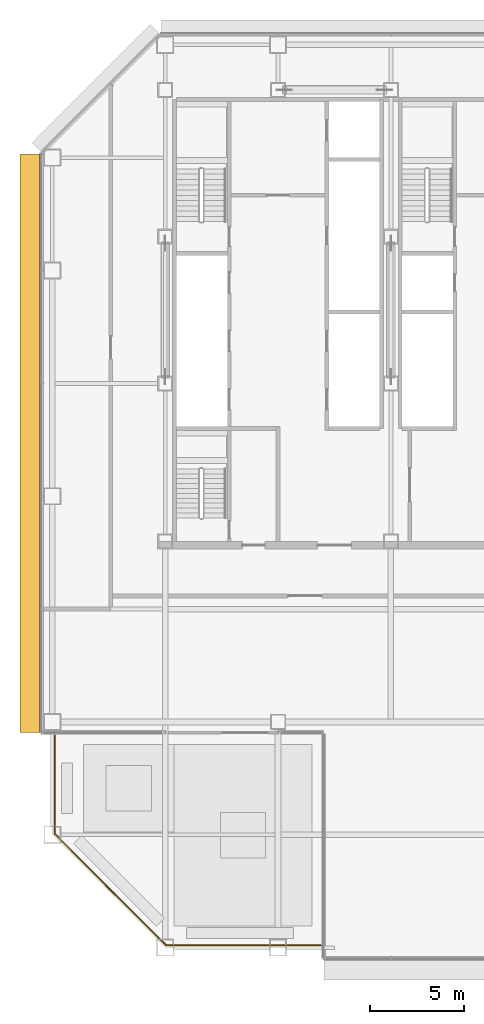
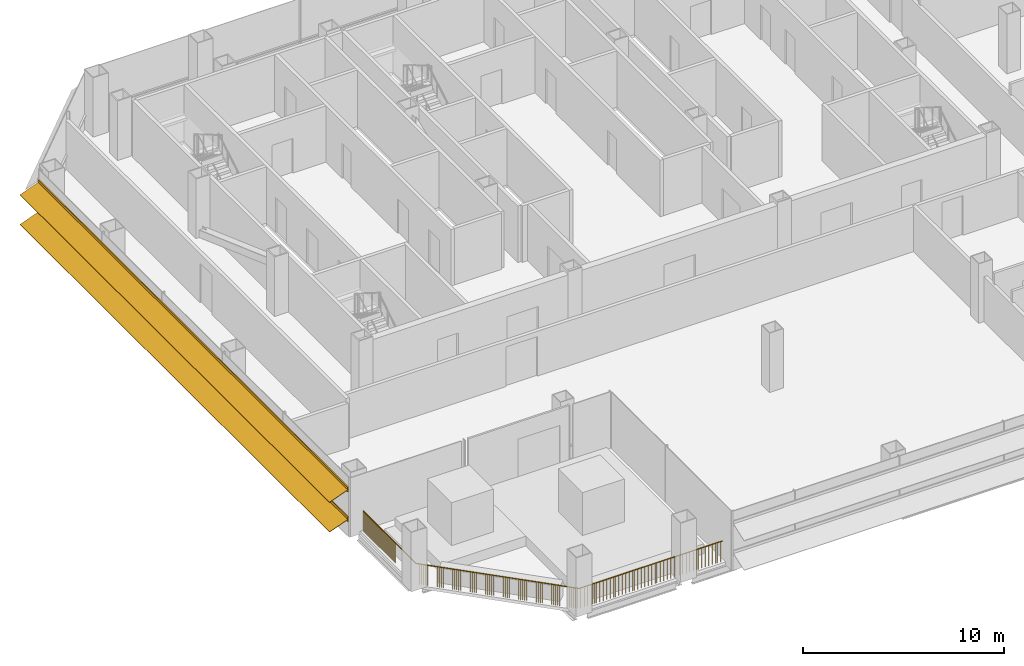
# One storey, part 25 of 28: 1 railing, 1 shading device.
"""IFC4 building model written with IfcOpenShell, lengths in metres."""

import ifcopenshell
import ifcopenshell.guid

model = None  # the IFC model being written
_history = None  # IfcOwnerHistory: only IFC2X3 demands one
_inside = {}  # id of a spatial element -> (the spatial element, [elements in it])
_under = {}  # id of a project, library or spatial element -> (it, [spatial elements below it])
_declared = {}  # id of a project -> (the project, [libraries it declares])
_typed = {}  # id of a type object -> (the type object, [elements of that type])
_made_of = {}  # id of a material, layer set ... -> (it, [elements and type objects made of it])


def new_model(schema):
    """Start an empty IFC model of exactly this schema.

    Asked for "IFC4X3", IfcOpenShell would pick the latest addendum, in which some entities
    have other attributes; the version numbers below select the first issue.
    IFC2X3 requires an IfcOwnerHistory on every rooted entity: one is made here for all.
    """
    global model, _history
    if schema == "IFC4X3":
        model = ifcopenshell.file(schema_version=(4, 3, 0, 0))
    else:
        model = ifcopenshell.file(schema=schema)
    _inside.clear()
    _under.clear()
    _declared.clear()
    _typed.clear()
    _made_of.clear()
    _history = None
    if model.schema == "IFC2X3":
        org = make("IfcOrganization", Name="unknown")
        user = make(
            "IfcPersonAndOrganization",
            ThePerson=make("IfcPerson", FamilyName="unknown"),
            TheOrganization=org,
        )
        app = make(
            "IfcApplication",
            ApplicationDeveloper=org,
            Version="unknown",
            ApplicationFullName="unknown",
            ApplicationIdentifier="unknown",
        )
        _history = make(
            "IfcOwnerHistory",
            OwningUser=user,
            OwningApplication=app,
            ChangeAction="ADDED",
            CreationDate=0,
        )
    return model


def make(cls, **values):
    """One entity of the class cls with the attributes given. An attribute that is None is left unset."""
    return model.create_entity(
        cls, **{name: value for name, value in values.items() if value is not None}
    )


def rooted(cls, **values):
    """An entity with a GlobalId (a new one), such as an element, a storey or a relation."""
    return make(cls, GlobalId=ifcopenshell.guid.new(), OwnerHistory=_history, **values)


def si_unit(unit_type, name, prefix=None):
    """IfcSIUnit, for example si_unit("LENGTHUNIT", "METRE", prefix="MILLI")."""
    return make("IfcSIUnit", UnitType=unit_type, Prefix=prefix, Name=name)


def assignment(units):
    """IfcUnitAssignment: the units of a project."""
    return None if units is None else make("IfcUnitAssignment", Units=units)


def point(xyz):
    """IfcCartesianPoint."""
    return None if xyz is None else make("IfcCartesianPoint", Coordinates=xyz)


def direction(xyz):
    """IfcDirection."""
    return None if xyz is None else make("IfcDirection", DirectionRatios=xyz)


def frame(location, z_axis=None, x_axis=None):
    """IfcAxis2Placement3D, a coordinate frame: its origin and axes. An axis left out is left unset."""
    return make(
        "IfcAxis2Placement3D",
        Location=point(location),
        Axis=direction(z_axis),
        RefDirection=direction(x_axis),
    )


def frame_2d(location, x_axis=None):
    """IfcAxis2Placement2D, a coordinate frame in the plane: its origin and x axis."""
    return make(
        "IfcAxis2Placement2D", Location=point(location), RefDirection=direction(x_axis)
    )


def origin():
    """The frame at (0, 0, 0) with its axes left unset."""
    return frame((0.0, 0.0, 0.0))


def origin_2d():
    """The frame at (0, 0) in the plane with its x axis left unset."""
    return frame_2d((0.0, 0.0))


def place(relative_to, where):
    """IfcLocalPlacement: puts the frame where relative to a parent placement (None: the world)."""
    return make(
        "IfcLocalPlacement", PlacementRelTo=relative_to, RelativePlacement=where
    )


def context(
    kind, dimensions, precision=None, world=None, true_north=None, identifier=None
):
    """IfcGeometricRepresentationContext, for example the 3D "Model" context."""
    return make(
        "IfcGeometricRepresentationContext",
        ContextIdentifier=identifier,
        ContextType=kind,
        CoordinateSpaceDimension=dimensions,
        Precision=precision,
        WorldCoordinateSystem=world,
        TrueNorth=true_north,
    )


def subcontext(parent, identifier, kind, view, scale=None):
    """IfcGeometricRepresentationSubContext, for example "Body" below "Model"."""
    return make(
        "IfcGeometricRepresentationSubContext",
        ContextIdentifier=identifier,
        ContextType=kind,
        ParentContext=parent,
        TargetScale=scale,
        TargetView=view,
    )


def project(units=None, contexts=None):
    """IfcProject with its units and contexts."""
    return rooted(
        "IfcProject",
        Name="project",
        RepresentationContexts=contexts,
        UnitsInContext=assignment(units),
    )


def spatial(cls, under=None, at=None, **own):
    """A site, building, storey or space (cls), placed at a placement, below another one or the project."""
    s = rooted(cls, ObjectPlacement=at, **own)
    if under is not None:
        _under.setdefault(under.id(), (under, []))[1].append(s)
    return s


def polyline(points):
    """IfcPolyline through the points."""
    return make("IfcPolyline", Points=[point(p) for p in points])


def profile(cls, at=None, kind="AREA", **sizes):
    """A parametric profile (cls). Its sizes go by their IFC names, for example OverallWidth=200.0."""
    return make(cls, ProfileType=kind, Position=at, **sizes)


def circle(**sizes):
    """IfcCircleProfileDef."""
    return profile("IfcCircleProfileDef", **sizes)


def outline(outer, holes=None, kind="AREA"):
    """IfcArbitraryClosedProfileDef: a profile drawn as a closed curve; with holes, ...WithVoids."""
    if holes is None:
        return make("IfcArbitraryClosedProfileDef", ProfileType=kind, OuterCurve=outer)
    return make(
        "IfcArbitraryProfileDefWithVoids",
        ProfileType=kind,
        OuterCurve=outer,
        InnerCurves=holes,
    )


def composite_profile(profiles, kind="AREA"):
    """IfcCompositeProfileDef: several profiles as one."""
    return make("IfcCompositeProfileDef", ProfileType=kind, Profiles=profiles)


def extrude(swept, where, along, depth):
    """IfcExtrudedAreaSolid: the profile swept, set in the frame where, extruded along a direction by depth."""
    return make(
        "IfcExtrudedAreaSolid",
        SweptArea=swept,
        Position=where,
        ExtrudedDirection=direction(along),
        Depth=depth,
    )


def shape(context_of_items, identifier, shape_type, items):
    """IfcShapeRepresentation: the items that make up one representation, for example the "Body"."""
    return make(
        "IfcShapeRepresentation",
        ContextOfItems=context_of_items,
        RepresentationIdentifier=identifier,
        RepresentationType=shape_type,
        Items=items,
    )


def material(Name=None, Category=None):
    """IfcMaterial."""
    return make("IfcMaterial", Name=Name, Category=Category)


def made_of(thing, what):
    """Note that an element or type object is made of a material, layer set ...; save() writes the relation."""
    if what is not None:
        _made_of.setdefault(what.id(), (what, []))[1].append(thing)
    return thing


def type_object(cls, material=None, **own):
    """A type object (cls), such as IfcWallType, which elements share."""
    return made_of(rooted(cls, **own), material)


def element(
    cls,
    number,
    at=None,
    inside=None,
    cuts=None,
    type_object=None,
    material=None,
    context=None,
    identifier="Body",
    shape_type=None,
    held_by="IfcProductDefinitionShape",
    body=None,
    shapes=None,
    **own,
):
    """One element of the class cls, such as IfcWall. Its Tag is "e" and its number.

    at: its placement. inside: the storey or other place that contains it. cuts: it is an
    opening in that element (IfcRelVoidsElement). A single representation is given by context,
    identifier, shape_type and body (its items); several are given by shapes. held_by: the class
    of the entity that holds the representations. save() writes the other relations.
    """
    e = rooted(cls, Tag="e%d" % number, ObjectPlacement=at, **own)
    if body is not None:
        shapes = [shape(context, identifier, shape_type, body)]
    if shapes is not None:
        e.Representation = make(held_by, Representations=shapes)
    if inside is not None:
        _inside.setdefault(inside.id(), (inside, []))[1].append(e)
    if cuts is not None:
        rooted(
            "IfcRelVoidsElement", RelatingBuildingElement=cuts, RelatedOpeningElement=e
        )
    if type_object is not None:
        _typed.setdefault(type_object.id(), (type_object, []))[1].append(e)
    return made_of(e, material)


def aggregate(whole, parts):
    """IfcRelAggregates: a whole, such as a stair, and the parts it consists of."""
    return rooted("IfcRelAggregates", RelatingObject=whole, RelatedObjects=parts)


def save(model, path):
    """Write the relations noted so far, then the file.

    IfcRelAggregates (storeys below a building ...), IfcRelContainedInSpatialStructure (elements
    in a storey), IfcRelDefinesByType, IfcRelAssociatesMaterial and IfcRelDeclares: one each for
    every whole, place, type object, material and project.
    """
    for whole, parts in _under.values():
        aggregate(whole, parts)
    for where, things in _inside.values():
        rooted(
            "IfcRelContainedInSpatialStructure",
            RelatedElements=things,
            RelatingStructure=where,
        )
    for kind, things in _typed.values():
        rooted("IfcRelDefinesByType", RelatedObjects=things, RelatingType=kind)
    for what, things in _made_of.values():
        rooted("IfcRelAssociatesMaterial", RelatedObjects=things, RelatingMaterial=what)
    for by, libraries in _declared.values():
        rooted("IfcRelDeclares", RelatingContext=by, RelatedDefinitions=libraries)
    model.write(path)


model = new_model("IFC4")

# Units and contexts
model_context = context("Model", 3, precision=1e-05, world=origin(), true_north=direction((0.0, 1.0)))
body_context = subcontext(model_context, "Body", "Model", "MODEL_VIEW")
ifc_project = project(units=[si_unit("LENGTHUNIT", "METRE"), si_unit("AREAUNIT", "SQUARE_METRE"), si_unit("VOLUMEUNIT", "CUBIC_METRE"), si_unit("PLANEANGLEUNIT", "RADIAN"), si_unit("MASSUNIT", "GRAM", prefix="KILO")], contexts=[model_context])

# Site, building, storey
site_placement = place(None, origin())
site = spatial("IfcSite", under=ifc_project, at=site_placement, CompositionType="ELEMENT")
building_placement = place(site_placement, origin())
building = spatial("IfcBuilding", under=site, at=building_placement, Name="Sorahane Residences", CompositionType="ELEMENT")
storey_placement = place(building_placement, frame((0.0, 0.0, 60.60009765625)))
storey = spatial("IfcBuildingStorey", under=building, at=storey_placement, Name="L11", CompositionType="ELEMENT", Elevation=60.60009765625)

# Shading device
ifc_material_1 = material(Name="Terracotta anodised aluminium", Category="masonry")
shading_device_type = type_object("IfcShadingDeviceType", Name="Louvre sunshade blade W terracotta aluminium 1100", PredefinedType="JALOUSIE", material=ifc_material_1)
shading_device_placement = place(storey_placement, frame((-0.60009765625, 42.198486328125, 0.89990234375), z_axis=(0.0, -1.0, 0.0), x_axis=(1.0, 0.0, 0.0)))
element("IfcShadingDevice", 1, at=shading_device_placement, inside=storey, type_object=shading_device_type, Name="Louvre sunshade blade bank W L11 W1", PredefinedType="JALOUSIE", context=body_context, shape_type="SweptSolid", body=[
    extrude(composite_profile([outline(polyline([(-1.1201171875, -0.385498046875), (-1.1201171875, -0.415283203125), (-0.080078125, -0.036865234375), (-0.080078125, -0.14990234375), (-0.02001953125, -0.14990234375), (-0.02001953125, -0.014892578125), (-0.02001953125, 0.014892578125), (-0.02001953125, 0.14990234375), (-0.080078125, 0.14990234375), (-0.080078125, -0.0068359375), (-1.1201171875, -0.385498046875)])), outline(polyline([(-1.1201171875, 1.41455078125), (-1.1201171875, 1.384521484375), (-0.080078125, 1.76318359375), (-0.080078125, 1.64990234375), (-0.02001953125, 1.64990234375), (-0.02001953125, 1.784912109375), (-0.02001953125, 1.81494140625), (-0.02001953125, 1.949951171875), (-0.080078125, 1.949951171875), (-0.080078125, 1.793212890625), (-1.1201171875, 1.41455078125)]))]), origin(), (0.0, 0.0, 1.0), 30.74853515625),
])

# Railing
ifc_material_2 = material(Name="Clear low-iron glass with a black steel top rail", Category="steel")
railing_type = type_object("IfcRailingType", Name="Terrace guard black steel bars 1260", PredefinedType="GUARDRAIL", material=ifc_material_2)
railing_placement = place(storey_placement, frame((14.280029296875, 0.1201171875, 0.0)))
element("IfcRailing", 2, at=railing_placement, inside=storey, type_object=railing_type, Name="Terrace guard L11.1.1", PredefinedType="GUARDRAIL", context=body_context, shape_type="SweptSolid", body=[
    extrude(circle(Radius=0.030029296875, at=origin_2d()), frame((0.0, 0.0, 1.22998046875), z_axis=(-1.0, 0.0, 0.0), x_axis=(0.0, -1.0, 0.0)), (0.0, 0.0, 1.0), 8.230224609375),
    extrude(circle(Radius=0.030029296875, at=origin_2d()), frame((-8.230224609375, 0.0, 1.22998046875), z_axis=(-0.707106781187, 0.707106781187, 0.0), x_axis=(-0.707106781187, -0.707106781187, 0.0)), (0.0, 0.0, 1.0), 8.3857421875),
    extrude(circle(Radius=0.030029296875, at=origin_2d()), frame((-14.159912109375, 5.9296875, 1.22998046875), z_axis=(0.0, 1.0, 0.0), x_axis=(-1.0, 0.0, 0.0)), (0.0, 0.0, 1.0), 5.230224609375),
    extrude(circle(Radius=0.0068359375, at=origin_2d()), origin(), (0.0, 0.0, 1.0), 1.199951171875),
    extrude(circle(Radius=0.0068359375, at=origin_2d()), frame((-0.09912109375, 0.0, 0.0)), (0.0, 0.0, 1.0), 1.199951171875),
    extrude(circle(Radius=0.0068359375, at=origin_2d()), frame((-0.1982421875, 0.0, 0.0)), (0.0, 0.0, 1.0), 1.199951171875),
    extrude(circle(Radius=0.0068359375, at=origin_2d()), frame((-0.29736328125, 0.0, 0.0)), (0.0, 0.0, 1.0), 1.199951171875),
    extrude(circle(Radius=0.0068359375, at=origin_2d()), frame((-0.396728515625, 0.0, 0.0)), (0.0, 0.0, 1.0), 1.199951171875),
    extrude(circle(Radius=0.0068359375, at=origin_2d()), frame((-0.495849609375, 0.0, 0.0)), (0.0, 0.0, 1.0), 1.199951171875),
    extrude(circle(Radius=0.0068359375, at=origin_2d()), frame((-0.594970703125, 0.0, 0.0)), (0.0, 0.0, 1.0), 1.199951171875),
    extrude(circle(Radius=0.0068359375, at=origin_2d()), frame((-0.694091796875, 0.0, 0.0)), (0.0, 0.0, 1.0), 1.199951171875),
    extrude(circle(Radius=0.0068359375, at=origin_2d()), frame((-0.793212890625, 0.0, 0.0)), (0.0, 0.0, 1.0), 1.199951171875),
    extrude(circle(Radius=0.0068359375, at=origin_2d()), frame((-0.892333984375, 0.0, 0.0)), (0.0, 0.0, 1.0), 1.199951171875),
    extrude(circle(Radius=0.0068359375, at=origin_2d()), frame((-0.99169921875, 0.0, 0.0)), (0.0, 0.0, 1.0), 1.199951171875),
    extrude(circle(Radius=0.0068359375, at=origin_2d()), frame((-1.0908203125, 0.0, 0.0)), (0.0, 0.0, 1.0), 1.199951171875),
    extrude(circle(Radius=0.0068359375, at=origin_2d()), frame((-1.18994140625, 0.0, 0.0)), (0.0, 0.0, 1.0), 1.199951171875),
    extrude(circle(Radius=0.0068359375, at=origin_2d()), frame((-1.2890625, 0.0, 0.0)), (0.0, 0.0, 1.0), 1.199951171875),
    extrude(circle(Radius=0.0068359375, at=origin_2d()), frame((-1.38818359375, 0.0, 0.0)), (0.0, 0.0, 1.0), 1.199951171875),
    extrude(circle(Radius=0.0068359375, at=origin_2d()), frame((-1.4873046875, 0.0, 0.0)), (0.0, 0.0, 1.0), 1.199951171875),
    extrude(circle(Radius=0.0068359375, at=origin_2d()), frame((-1.586669921875, 0.0, 0.0)), (0.0, 0.0, 1.0), 1.199951171875),
    extrude(circle(Radius=0.0068359375, at=origin_2d()), frame((-1.685791015625, 0.0, 0.0)), (0.0, 0.0, 1.0), 1.199951171875),
    extrude(circle(Radius=0.0068359375, at=origin_2d()), frame((-1.784912109375, 0.0, 0.0)), (0.0, 0.0, 1.0), 1.199951171875),
    extrude(circle(Radius=0.0068359375, at=origin_2d()), frame((-1.884033203125, 0.0, 0.0)), (0.0, 0.0, 1.0), 1.199951171875),
    extrude(circle(Radius=0.0068359375, at=origin_2d()), frame((-1.983154296875, 0.0, 0.0)), (0.0, 0.0, 1.0), 1.199951171875),
    extrude(circle(Radius=0.0068359375, at=origin_2d()), frame((-2.082275390625, 0.0, 0.0)), (0.0, 0.0, 1.0), 1.199951171875),
    extrude(circle(Radius=0.0068359375, at=origin_2d()), frame((-2.181396484375, 0.0, 0.0)), (0.0, 0.0, 1.0), 1.199951171875),
    extrude(circle(Radius=0.0068359375, at=origin_2d()), frame((-2.28076171875, 0.0, 0.0)), (0.0, 0.0, 1.0), 1.199951171875),
    extrude(circle(Radius=0.0068359375, at=origin_2d()), frame((-2.3798828125, 0.0, 0.0)), (0.0, 0.0, 1.0), 1.199951171875),
    extrude(circle(Radius=0.0068359375, at=origin_2d()), frame((-2.47900390625, 0.0, 0.0)), (0.0, 0.0, 1.0), 1.199951171875),
    extrude(circle(Radius=0.0068359375, at=origin_2d()), frame((-2.578125, 0.0, 0.0)), (0.0, 0.0, 1.0), 1.199951171875),
    extrude(circle(Radius=0.0068359375, at=origin_2d()), frame((-2.67724609375, 0.0, 0.0)), (0.0, 0.0, 1.0), 1.199951171875),
    extrude(circle(Radius=0.0068359375, at=origin_2d()), frame((-2.7763671875, 0.0, 0.0)), (0.0, 0.0, 1.0), 1.199951171875),
    extrude(circle(Radius=0.0068359375, at=origin_2d()), frame((-2.875732421875, 0.0, 0.0)), (0.0, 0.0, 1.0), 1.199951171875),
    extrude(circle(Radius=0.0068359375, at=origin_2d()), frame((-2.974853515625, 0.0, 0.0)), (0.0, 0.0, 1.0), 1.199951171875),
    extrude(circle(Radius=0.0068359375, at=origin_2d()), frame((-3.073974609375, 0.0, 0.0)), (0.0, 0.0, 1.0), 1.199951171875),
    extrude(circle(Radius=0.0068359375, at=origin_2d()), frame((-3.173095703125, 0.0, 0.0)), (0.0, 0.0, 1.0), 1.199951171875),
    extrude(circle(Radius=0.0068359375, at=origin_2d()), frame((-3.272216796875, 0.0, 0.0)), (0.0, 0.0, 1.0), 1.199951171875),
    extrude(circle(Radius=0.0068359375, at=origin_2d()), frame((-3.371337890625, 0.0, 0.0)), (0.0, 0.0, 1.0), 1.199951171875),
    extrude(circle(Radius=0.0068359375, at=origin_2d()), frame((-3.470458984375, 0.0, 0.0)), (0.0, 0.0, 1.0), 1.199951171875),
    extrude(circle(Radius=0.0068359375, at=origin_2d()), frame((-3.56982421875, 0.0, 0.0)), (0.0, 0.0, 1.0), 1.199951171875),
    extrude(circle(Radius=0.0068359375, at=origin_2d()), frame((-3.6689453125, 0.0, 0.0)), (0.0, 0.0, 1.0), 1.199951171875),
    extrude(circle(Radius=0.0068359375, at=origin_2d()), frame((-3.76806640625, 0.0, 0.0)), (0.0, 0.0, 1.0), 1.199951171875),
    extrude(circle(Radius=0.0068359375, at=origin_2d()), frame((-3.8671875, 0.0, 0.0)), (0.0, 0.0, 1.0), 1.199951171875),
    extrude(circle(Radius=0.0068359375, at=origin_2d()), frame((-3.96630859375, 0.0, 0.0)), (0.0, 0.0, 1.0), 1.199951171875),
    extrude(circle(Radius=0.0068359375, at=origin_2d()), frame((-4.0654296875, 0.0, 0.0)), (0.0, 0.0, 1.0), 1.199951171875),
    extrude(circle(Radius=0.0068359375, at=origin_2d()), frame((-4.164794921875, 0.0, 0.0)), (0.0, 0.0, 1.0), 1.199951171875),
    extrude(circle(Radius=0.0068359375, at=origin_2d()), frame((-4.263916015625, 0.0, 0.0)), (0.0, 0.0, 1.0), 1.199951171875),
    extrude(circle(Radius=0.0068359375, at=origin_2d()), frame((-4.363037109375, 0.0, 0.0)), (0.0, 0.0, 1.0), 1.199951171875),
    extrude(circle(Radius=0.0068359375, at=origin_2d()), frame((-4.462158203125, 0.0, 0.0)), (0.0, 0.0, 1.0), 1.199951171875),
    extrude(circle(Radius=0.0068359375, at=origin_2d()), frame((-4.561279296875, 0.0, 0.0)), (0.0, 0.0, 1.0), 1.199951171875),
    extrude(circle(Radius=0.0068359375, at=origin_2d()), frame((-4.660400390625, 0.0, 0.0)), (0.0, 0.0, 1.0), 1.199951171875),
    extrude(circle(Radius=0.0068359375, at=origin_2d()), frame((-4.759765625, 0.0, 0.0)), (0.0, 0.0, 1.0), 1.199951171875),
    extrude(circle(Radius=0.0068359375, at=origin_2d()), frame((-4.85888671875, 0.0, 0.0)), (0.0, 0.0, 1.0), 1.199951171875),
    extrude(circle(Radius=0.0068359375, at=origin_2d()), frame((-4.9580078125, 0.0, 0.0)), (0.0, 0.0, 1.0), 1.199951171875),
    extrude(circle(Radius=0.0068359375, at=origin_2d()), frame((-5.05712890625, 0.0, 0.0)), (0.0, 0.0, 1.0), 1.199951171875),
    extrude(circle(Radius=0.0068359375, at=origin_2d()), frame((-5.15625, 0.0, 0.0)), (0.0, 0.0, 1.0), 1.199951171875),
    extrude(circle(Radius=0.0068359375, at=origin_2d()), frame((-5.25537109375, 0.0, 0.0)), (0.0, 0.0, 1.0), 1.199951171875),
    extrude(circle(Radius=0.0068359375, at=origin_2d()), frame((-5.3544921875, 0.0, 0.0)), (0.0, 0.0, 1.0), 1.199951171875),
    extrude(circle(Radius=0.0068359375, at=origin_2d()), frame((-5.453857421875, 0.0, 0.0)), (0.0, 0.0, 1.0), 1.199951171875),
    extrude(circle(Radius=0.0068359375, at=origin_2d()), frame((-5.552978515625, 0.0, 0.0)), (0.0, 0.0, 1.0), 1.199951171875),
    extrude(circle(Radius=0.0068359375, at=origin_2d()), frame((-5.652099609375, 0.0, 0.0)), (0.0, 0.0, 1.0), 1.199951171875),
    extrude(circle(Radius=0.0068359375, at=origin_2d()), frame((-5.751220703125, 0.0, 0.0)), (0.0, 0.0, 1.0), 1.199951171875),
    extrude(circle(Radius=0.0068359375, at=origin_2d()), frame((-5.850341796875, 0.0, 0.0)), (0.0, 0.0, 1.0), 1.199951171875),
    extrude(circle(Radius=0.0068359375, at=origin_2d()), frame((-5.949462890625, 0.0, 0.0)), (0.0, 0.0, 1.0), 1.199951171875),
    extrude(circle(Radius=0.0068359375, at=origin_2d()), frame((-6.048828125, 0.0, 0.0)), (0.0, 0.0, 1.0), 1.199951171875),
    extrude(circle(Radius=0.0068359375, at=origin_2d()), frame((-6.14794921875, 0.0, 0.0)), (0.0, 0.0, 1.0), 1.199951171875),
    extrude(circle(Radius=0.0068359375, at=origin_2d()), frame((-6.2470703125, 0.0, 0.0)), (0.0, 0.0, 1.0), 1.199951171875),
    extrude(circle(Radius=0.0068359375, at=origin_2d()), frame((-6.34619140625, 0.0, 0.0)), (0.0, 0.0, 1.0), 1.199951171875),
    extrude(circle(Radius=0.0068359375, at=origin_2d()), frame((-6.4453125, 0.0, 0.0)), (0.0, 0.0, 1.0), 1.199951171875),
    extrude(circle(Radius=0.0068359375, at=origin_2d()), frame((-6.54443359375, 0.0, 0.0)), (0.0, 0.0, 1.0), 1.199951171875),
    extrude(circle(Radius=0.0068359375, at=origin_2d()), frame((-6.6435546875, 0.0, 0.0)), (0.0, 0.0, 1.0), 1.199951171875),
    extrude(circle(Radius=0.0068359375, at=origin_2d()), frame((-6.742919921875, 0.0, 0.0)), (0.0, 0.0, 1.0), 1.199951171875),
    extrude(circle(Radius=0.0068359375, at=origin_2d()), frame((-6.842041015625, 0.0, 0.0)), (0.0, 0.0, 1.0), 1.199951171875),
    extrude(circle(Radius=0.0068359375, at=origin_2d()), frame((-6.941162109375, 0.0, 0.0)), (0.0, 0.0, 1.0), 1.199951171875),
    extrude(circle(Radius=0.0068359375, at=origin_2d()), frame((-7.040283203125, 0.0, 0.0)), (0.0, 0.0, 1.0), 1.199951171875),
    extrude(circle(Radius=0.0068359375, at=origin_2d()), frame((-7.139404296875, 0.0, 0.0)), (0.0, 0.0, 1.0), 1.199951171875),
    extrude(circle(Radius=0.0068359375, at=origin_2d()), frame((-7.238525390625, 0.0, 0.0)), (0.0, 0.0, 1.0), 1.199951171875),
    extrude(circle(Radius=0.0068359375, at=origin_2d()), frame((-7.337890625, 0.0, 0.0)), (0.0, 0.0, 1.0), 1.199951171875),
    extrude(circle(Radius=0.0068359375, at=origin_2d()), frame((-7.43701171875, 0.0, 0.0)), (0.0, 0.0, 1.0), 1.199951171875),
    extrude(circle(Radius=0.0068359375, at=origin_2d()), frame((-7.5361328125, 0.0, 0.0)), (0.0, 0.0, 1.0), 1.199951171875),
    extrude(circle(Radius=0.0068359375, at=origin_2d()), frame((-7.63525390625, 0.0, 0.0)), (0.0, 0.0, 1.0), 1.199951171875),
    extrude(circle(Radius=0.0068359375, at=origin_2d()), frame((-7.734375, 0.0, 0.0)), (0.0, 0.0, 1.0), 1.199951171875),
    extrude(circle(Radius=0.0068359375, at=origin_2d()), frame((-7.83349609375, 0.0, 0.0)), (0.0, 0.0, 1.0), 1.199951171875),
    extrude(circle(Radius=0.0068359375, at=origin_2d()), frame((-7.932861328125, 0.0, 0.0)), (0.0, 0.0, 1.0), 1.199951171875),
    extrude(circle(Radius=0.0068359375, at=origin_2d()), frame((-8.031982421875, 0.0, 0.0)), (0.0, 0.0, 1.0), 1.199951171875),
    extrude(circle(Radius=0.0068359375, at=origin_2d()), frame((-8.131103515625, 0.0, 0.0)), (0.0, 0.0, 1.0), 1.199951171875),
    extrude(circle(Radius=0.0068359375, at=origin_2d()), frame((-8.230224609375, 0.0, 0.0)), (0.0, 0.0, 1.0), 1.199951171875),
    extrude(circle(Radius=0.0068359375, at=origin_2d()), frame((-8.30078125, 0.070556640625, 0.0)), (0.0, 0.0, 1.0), 1.199951171875),
    extrude(circle(Radius=0.0068359375, at=origin_2d()), frame((-8.371337890625, 0.14111328125, 0.0)), (0.0, 0.0, 1.0), 1.199951171875),
    extrude(circle(Radius=0.0068359375, at=origin_2d()), frame((-8.44189453125, 0.211669921875, 0.0)), (0.0, 0.0, 1.0), 1.199951171875),
    extrude(circle(Radius=0.0068359375, at=origin_2d()), frame((-8.5126953125, 0.282470703125, 0.0)), (0.0, 0.0, 1.0), 1.199951171875),
    extrude(circle(Radius=0.0068359375, at=origin_2d()), frame((-8.583251953125, 0.35302734375, 0.0)), (0.0, 0.0, 1.0), 1.199951171875),
    extrude(circle(Radius=0.0068359375, at=origin_2d()), frame((-8.65380859375, 0.423583984375, 0.0)), (0.0, 0.0, 1.0), 1.199951171875),
    extrude(circle(Radius=0.0068359375, at=origin_2d()), frame((-8.724365234375, 0.494140625, 0.0)), (0.0, 0.0, 1.0), 1.199951171875),
    extrude(circle(Radius=0.0068359375, at=origin_2d()), frame((-8.794921875, 0.564697265625, 0.0)), (0.0, 0.0, 1.0), 1.199951171875),
    extrude(circle(Radius=0.0068359375, at=origin_2d()), frame((-8.865478515625, 0.63525390625, 0.0)), (0.0, 0.0, 1.0), 1.199951171875),
    extrude(circle(Radius=0.0068359375, at=origin_2d()), frame((-8.93603515625, 0.705810546875, 0.0)), (0.0, 0.0, 1.0), 1.199951171875),
    extrude(circle(Radius=0.0068359375, at=origin_2d()), frame((-9.0068359375, 0.776611328125, 0.0)), (0.0, 0.0, 1.0), 1.199951171875),
    extrude(circle(Radius=0.0068359375, at=origin_2d()), frame((-9.077392578125, 0.84716796875, 0.0)), (0.0, 0.0, 1.0), 1.199951171875),
    extrude(circle(Radius=0.0068359375, at=origin_2d()), frame((-9.14794921875, 0.917724609375, 0.0)), (0.0, 0.0, 1.0), 1.199951171875),
    extrude(circle(Radius=0.0068359375, at=origin_2d()), frame((-9.218505859375, 0.98828125, 0.0)), (0.0, 0.0, 1.0), 1.199951171875),
    extrude(circle(Radius=0.0068359375, at=origin_2d()), frame((-9.2890625, 1.058837890625, 0.0)), (0.0, 0.0, 1.0), 1.199951171875),
    extrude(circle(Radius=0.0068359375, at=origin_2d()), frame((-9.359619140625, 1.12939453125, 0.0)), (0.0, 0.0, 1.0), 1.199951171875),
    extrude(circle(Radius=0.0068359375, at=origin_2d()), frame((-9.43017578125, 1.199951171875, 0.0)), (0.0, 0.0, 1.0), 1.199951171875),
    extrude(circle(Radius=0.0068359375, at=origin_2d()), frame((-9.5009765625, 1.270751953125, 0.0)), (0.0, 0.0, 1.0), 1.199951171875),
    extrude(circle(Radius=0.0068359375, at=origin_2d()), frame((-9.571533203125, 1.34130859375, 0.0)), (0.0, 0.0, 1.0), 1.199951171875),
    extrude(circle(Radius=0.0068359375, at=origin_2d()), frame((-9.64208984375, 1.411865234375, 0.0)), (0.0, 0.0, 1.0), 1.199951171875),
    extrude(circle(Radius=0.0068359375, at=origin_2d()), frame((-9.712646484375, 1.482421875, 0.0)), (0.0, 0.0, 1.0), 1.199951171875),
    extrude(circle(Radius=0.0068359375, at=origin_2d()), frame((-9.783203125, 1.552978515625, 0.0)), (0.0, 0.0, 1.0), 1.199951171875),
    extrude(circle(Radius=0.0068359375, at=origin_2d()), frame((-9.853759765625, 1.62353515625, 0.0)), (0.0, 0.0, 1.0), 1.199951171875),
    extrude(circle(Radius=0.0068359375, at=origin_2d()), frame((-9.92431640625, 1.694091796875, 0.0)), (0.0, 0.0, 1.0), 1.199951171875),
    extrude(circle(Radius=0.0068359375, at=origin_2d()), frame((-9.9951171875, 1.764892578125, 0.0)), (0.0, 0.0, 1.0), 1.199951171875),
    extrude(circle(Radius=0.0068359375, at=origin_2d()), frame((-10.065673828125, 1.83544921875, 0.0)), (0.0, 0.0, 1.0), 1.199951171875),
    extrude(circle(Radius=0.0068359375, at=origin_2d()), frame((-10.13623046875, 1.906005859375, 0.0)), (0.0, 0.0, 1.0), 1.199951171875),
    extrude(circle(Radius=0.0068359375, at=origin_2d()), frame((-10.206787109375, 1.9765625, 0.0)), (0.0, 0.0, 1.0), 1.199951171875),
    extrude(circle(Radius=0.0068359375, at=origin_2d()), frame((-10.27734375, 2.047119140625, 0.0)), (0.0, 0.0, 1.0), 1.199951171875),
    extrude(circle(Radius=0.0068359375, at=origin_2d()), frame((-10.347900390625, 2.11767578125, 0.0)), (0.0, 0.0, 1.0), 1.199951171875),
    extrude(circle(Radius=0.0068359375, at=origin_2d()), frame((-10.41845703125, 2.188232421875, 0.0)), (0.0, 0.0, 1.0), 1.199951171875),
    extrude(circle(Radius=0.0068359375, at=origin_2d()), frame((-10.4892578125, 2.259033203125, 0.0)), (0.0, 0.0, 1.0), 1.199951171875),
    extrude(circle(Radius=0.0068359375, at=origin_2d()), frame((-10.559814453125, 2.32958984375, 0.0)), (0.0, 0.0, 1.0), 1.199951171875),
    extrude(circle(Radius=0.0068359375, at=origin_2d()), frame((-10.63037109375, 2.400146484375, 0.0)), (0.0, 0.0, 1.0), 1.199951171875),
    extrude(circle(Radius=0.0068359375, at=origin_2d()), frame((-10.700927734375, 2.470703125, 0.0)), (0.0, 0.0, 1.0), 1.199951171875),
    extrude(circle(Radius=0.0068359375, at=origin_2d()), frame((-10.771484375, 2.541259765625, 0.0)), (0.0, 0.0, 1.0), 1.199951171875),
    extrude(circle(Radius=0.0068359375, at=origin_2d()), frame((-10.842041015625, 2.61181640625, 0.0)), (0.0, 0.0, 1.0), 1.199951171875),
    extrude(circle(Radius=0.0068359375, at=origin_2d()), frame((-10.91259765625, 2.682373046875, 0.0)), (0.0, 0.0, 1.0), 1.199951171875),
    extrude(circle(Radius=0.0068359375, at=origin_2d()), frame((-10.9833984375, 2.753173828125, 0.0)), (0.0, 0.0, 1.0), 1.199951171875),
    extrude(circle(Radius=0.0068359375, at=origin_2d()), frame((-11.053955078125, 2.82373046875, 0.0)), (0.0, 0.0, 1.0), 1.199951171875),
    extrude(circle(Radius=0.0068359375, at=origin_2d()), frame((-11.12451171875, 2.894287109375, 0.0)), (0.0, 0.0, 1.0), 1.199951171875),
    extrude(circle(Radius=0.0068359375, at=origin_2d()), frame((-11.195068359375, 2.96484375, 0.0)), (0.0, 0.0, 1.0), 1.199951171875),
    extrude(circle(Radius=0.0068359375, at=origin_2d()), frame((-11.265625, 3.035400390625, 0.0)), (0.0, 0.0, 1.0), 1.199951171875),
    extrude(circle(Radius=0.0068359375, at=origin_2d()), frame((-11.336181640625, 3.10595703125, 0.0)), (0.0, 0.0, 1.0), 1.199951171875),
    extrude(circle(Radius=0.0068359375, at=origin_2d()), frame((-11.40673828125, 3.176513671875, 0.0)), (0.0, 0.0, 1.0), 1.199951171875),
    extrude(circle(Radius=0.0068359375, at=origin_2d()), frame((-11.4775390625, 3.247314453125, 0.0)), (0.0, 0.0, 1.0), 1.199951171875),
    extrude(circle(Radius=0.0068359375, at=origin_2d()), frame((-11.548095703125, 3.31787109375, 0.0)), (0.0, 0.0, 1.0), 1.199951171875),
    extrude(circle(Radius=0.0068359375, at=origin_2d()), frame((-11.61865234375, 3.388427734375, 0.0)), (0.0, 0.0, 1.0), 1.199951171875),
    extrude(circle(Radius=0.0068359375, at=origin_2d()), frame((-11.689208984375, 3.458984375, 0.0)), (0.0, 0.0, 1.0), 1.199951171875),
    extrude(circle(Radius=0.0068359375, at=origin_2d()), frame((-11.759765625, 3.529541015625, 0.0)), (0.0, 0.0, 1.0), 1.199951171875),
    extrude(circle(Radius=0.0068359375, at=origin_2d()), frame((-11.830322265625, 3.60009765625, 0.0)), (0.0, 0.0, 1.0), 1.199951171875),
    extrude(circle(Radius=0.0068359375, at=origin_2d()), frame((-11.90087890625, 3.670654296875, 0.0)), (0.0, 0.0, 1.0), 1.199951171875),
    extrude(circle(Radius=0.0068359375, at=origin_2d()), frame((-11.9716796875, 3.741455078125, 0.0)), (0.0, 0.0, 1.0), 1.199951171875),
    extrude(circle(Radius=0.0068359375, at=origin_2d()), frame((-12.042236328125, 3.81201171875, 0.0)), (0.0, 0.0, 1.0), 1.199951171875),
    extrude(circle(Radius=0.0068359375, at=origin_2d()), frame((-12.11279296875, 3.882568359375, 0.0)), (0.0, 0.0, 1.0), 1.199951171875),
    extrude(circle(Radius=0.0068359375, at=origin_2d()), frame((-12.183349609375, 3.953125, 0.0)), (0.0, 0.0, 1.0), 1.199951171875),
    extrude(circle(Radius=0.0068359375, at=origin_2d()), frame((-12.25390625, 4.023681640625, 0.0)), (0.0, 0.0, 1.0), 1.199951171875),
    extrude(circle(Radius=0.0068359375, at=origin_2d()), frame((-12.324462890625, 4.09423828125, 0.0)), (0.0, 0.0, 1.0), 1.199951171875),
    extrude(circle(Radius=0.0068359375, at=origin_2d()), frame((-12.39501953125, 4.164794921875, 0.0)), (0.0, 0.0, 1.0), 1.199951171875),
    extrude(circle(Radius=0.0068359375, at=origin_2d()), frame((-12.4658203125, 4.235595703125, 0.0)), (0.0, 0.0, 1.0), 1.199951171875),
    extrude(circle(Radius=0.0068359375, at=origin_2d()), frame((-12.536376953125, 4.30615234375, 0.0)), (0.0, 0.0, 1.0), 1.199951171875),
    extrude(circle(Radius=0.0068359375, at=origin_2d()), frame((-12.60693359375, 4.376708984375, 0.0)), (0.0, 0.0, 1.0), 1.199951171875),
    extrude(circle(Radius=0.0068359375, at=origin_2d()), frame((-12.677490234375, 4.447265625, 0.0)), (0.0, 0.0, 1.0), 1.199951171875),
    extrude(circle(Radius=0.0068359375, at=origin_2d()), frame((-12.748046875, 4.517822265625, 0.0)), (0.0, 0.0, 1.0), 1.199951171875),
    extrude(circle(Radius=0.0068359375, at=origin_2d()), frame((-12.818603515625, 4.58837890625, 0.0)), (0.0, 0.0, 1.0), 1.199951171875),
    extrude(circle(Radius=0.0068359375, at=origin_2d()), frame((-12.88916015625, 4.658935546875, 0.0)), (0.0, 0.0, 1.0), 1.199951171875),
    extrude(circle(Radius=0.0068359375, at=origin_2d()), frame((-12.9599609375, 4.729736328125, 0.0)), (0.0, 0.0, 1.0), 1.199951171875),
    extrude(circle(Radius=0.0068359375, at=origin_2d()), frame((-13.030517578125, 4.80029296875, 0.0)), (0.0, 0.0, 1.0), 1.199951171875),
    extrude(circle(Radius=0.0068359375, at=origin_2d()), frame((-13.10107421875, 4.870849609375, 0.0)), (0.0, 0.0, 1.0), 1.199951171875),
    extrude(circle(Radius=0.0068359375, at=origin_2d()), frame((-13.171630859375, 4.94140625, 0.0)), (0.0, 0.0, 1.0), 1.199951171875),
    extrude(circle(Radius=0.0068359375, at=origin_2d()), frame((-13.2421875, 5.011962890625, 0.0)), (0.0, 0.0, 1.0), 1.199951171875),
    extrude(circle(Radius=0.0068359375, at=origin_2d()), frame((-13.312744140625, 5.08251953125, 0.0)), (0.0, 0.0, 1.0), 1.199951171875),
    extrude(circle(Radius=0.0068359375, at=origin_2d()), frame((-13.38330078125, 5.153076171875, 0.0)), (0.0, 0.0, 1.0), 1.199951171875),
    extrude(circle(Radius=0.0068359375, at=origin_2d()), frame((-13.4541015625, 5.223876953125, 0.0)), (0.0, 0.0, 1.0), 1.199951171875),
    extrude(circle(Radius=0.0068359375, at=origin_2d()), frame((-13.524658203125, 5.29443359375, 0.0)), (0.0, 0.0, 1.0), 1.199951171875),
    extrude(circle(Radius=0.0068359375, at=origin_2d()), frame((-13.59521484375, 5.364990234375, 0.0)), (0.0, 0.0, 1.0), 1.199951171875),
    extrude(circle(Radius=0.0068359375, at=origin_2d()), frame((-13.665771484375, 5.435546875, 0.0)), (0.0, 0.0, 1.0), 1.199951171875),
    extrude(circle(Radius=0.0068359375, at=origin_2d()), frame((-13.736328125, 5.506103515625, 0.0)), (0.0, 0.0, 1.0), 1.199951171875),
    extrude(circle(Radius=0.0068359375, at=origin_2d()), frame((-13.806884765625, 5.57666015625, 0.0)), (0.0, 0.0, 1.0), 1.199951171875),
    extrude(circle(Radius=0.0068359375, at=origin_2d()), frame((-13.87744140625, 5.647216796875, 0.0)), (0.0, 0.0, 1.0), 1.199951171875),
    extrude(circle(Radius=0.0068359375, at=origin_2d()), frame((-13.9482421875, 5.718017578125, 0.0)), (0.0, 0.0, 1.0), 1.199951171875),
    extrude(circle(Radius=0.0068359375, at=origin_2d()), frame((-14.018798828125, 5.78857421875, 0.0)), (0.0, 0.0, 1.0), 1.199951171875),
    extrude(circle(Radius=0.0068359375, at=origin_2d()), frame((-14.08935546875, 5.859130859375, 0.0)), (0.0, 0.0, 1.0), 1.199951171875),
    extrude(circle(Radius=0.0068359375, at=origin_2d()), frame((-14.159912109375, 5.9296875, 0.0)), (0.0, 0.0, 1.0), 1.199951171875),
    extrude(circle(Radius=0.0068359375, at=origin_2d()), frame((-14.159912109375, 6.0283203125, 0.0)), (0.0, 0.0, 1.0), 1.199951171875),
    extrude(circle(Radius=0.0068359375, at=origin_2d()), frame((-14.159912109375, 6.126953125, 0.0)), (0.0, 0.0, 1.0), 1.199951171875),
    extrude(circle(Radius=0.0068359375, at=origin_2d()), frame((-14.159912109375, 6.225830078125, 0.0)), (0.0, 0.0, 1.0), 1.199951171875),
    extrude(circle(Radius=0.0068359375, at=origin_2d()), frame((-14.159912109375, 6.324462890625, 0.0)), (0.0, 0.0, 1.0), 1.199951171875),
    extrude(circle(Radius=0.0068359375, at=origin_2d()), frame((-14.159912109375, 6.423095703125, 0.0)), (0.0, 0.0, 1.0), 1.199951171875),
    extrude(circle(Radius=0.0068359375, at=origin_2d()), frame((-14.159912109375, 6.521728515625, 0.0)), (0.0, 0.0, 1.0), 1.199951171875),
    extrude(circle(Radius=0.0068359375, at=origin_2d()), frame((-14.159912109375, 6.620361328125, 0.0)), (0.0, 0.0, 1.0), 1.199951171875),
    extrude(circle(Radius=0.0068359375, at=origin_2d()), frame((-14.159912109375, 6.71923828125, 0.0)), (0.0, 0.0, 1.0), 1.199951171875),
    extrude(circle(Radius=0.0068359375, at=origin_2d()), frame((-14.159912109375, 6.81787109375, 0.0)), (0.0, 0.0, 1.0), 1.199951171875),
    extrude(circle(Radius=0.0068359375, at=origin_2d()), frame((-14.159912109375, 6.91650390625, 0.0)), (0.0, 0.0, 1.0), 1.199951171875),
    extrude(circle(Radius=0.0068359375, at=origin_2d()), frame((-14.159912109375, 7.01513671875, 0.0)), (0.0, 0.0, 1.0), 1.199951171875),
    extrude(circle(Radius=0.0068359375, at=origin_2d()), frame((-14.159912109375, 7.11376953125, 0.0)), (0.0, 0.0, 1.0), 1.199951171875),
    extrude(circle(Radius=0.0068359375, at=origin_2d()), frame((-14.159912109375, 7.212646484375, 0.0)), (0.0, 0.0, 1.0), 1.199951171875),
    extrude(circle(Radius=0.0068359375, at=origin_2d()), frame((-14.159912109375, 7.311279296875, 0.0)), (0.0, 0.0, 1.0), 1.199951171875),
    extrude(circle(Radius=0.0068359375, at=origin_2d()), frame((-14.159912109375, 7.409912109375, 0.0)), (0.0, 0.0, 1.0), 1.199951171875),
    extrude(circle(Radius=0.0068359375, at=origin_2d()), frame((-14.159912109375, 7.508544921875, 0.0)), (0.0, 0.0, 1.0), 1.199951171875),
    extrude(circle(Radius=0.0068359375, at=origin_2d()), frame((-14.159912109375, 7.607421875, 0.0)), (0.0, 0.0, 1.0), 1.199951171875),
    extrude(circle(Radius=0.0068359375, at=origin_2d()), frame((-14.159912109375, 7.7060546875, 0.0)), (0.0, 0.0, 1.0), 1.199951171875),
    extrude(circle(Radius=0.0068359375, at=origin_2d()), frame((-14.159912109375, 7.8046875, 0.0)), (0.0, 0.0, 1.0), 1.199951171875),
    extrude(circle(Radius=0.0068359375, at=origin_2d()), frame((-14.159912109375, 7.9033203125, 0.0)), (0.0, 0.0, 1.0), 1.199951171875),
    extrude(circle(Radius=0.0068359375, at=origin_2d()), frame((-14.159912109375, 8.001953125, 0.0)), (0.0, 0.0, 1.0), 1.199951171875),
    extrude(circle(Radius=0.0068359375, at=origin_2d()), frame((-14.159912109375, 8.100830078125, 0.0)), (0.0, 0.0, 1.0), 1.199951171875),
    extrude(circle(Radius=0.0068359375, at=origin_2d()), frame((-14.159912109375, 8.199462890625, 0.0)), (0.0, 0.0, 1.0), 1.199951171875),
    extrude(circle(Radius=0.0068359375, at=origin_2d()), frame((-14.159912109375, 8.298095703125, 0.0)), (0.0, 0.0, 1.0), 1.199951171875),
    extrude(circle(Radius=0.0068359375, at=origin_2d()), frame((-14.159912109375, 8.396728515625, 0.0)), (0.0, 0.0, 1.0), 1.199951171875),
    extrude(circle(Radius=0.0068359375, at=origin_2d()), frame((-14.159912109375, 8.495361328125, 0.0)), (0.0, 0.0, 1.0), 1.199951171875),
    extrude(circle(Radius=0.0068359375, at=origin_2d()), frame((-14.159912109375, 8.59423828125, 0.0)), (0.0, 0.0, 1.0), 1.199951171875),
    extrude(circle(Radius=0.0068359375, at=origin_2d()), frame((-14.159912109375, 8.69287109375, 0.0)), (0.0, 0.0, 1.0), 1.199951171875),
    extrude(circle(Radius=0.0068359375, at=origin_2d()), frame((-14.159912109375, 8.79150390625, 0.0)), (0.0, 0.0, 1.0), 1.199951171875),
    extrude(circle(Radius=0.0068359375, at=origin_2d()), frame((-14.159912109375, 8.89013671875, 0.0)), (0.0, 0.0, 1.0), 1.199951171875),
    extrude(circle(Radius=0.0068359375, at=origin_2d()), frame((-14.159912109375, 8.98876953125, 0.0)), (0.0, 0.0, 1.0), 1.199951171875),
    extrude(circle(Radius=0.0068359375, at=origin_2d()), frame((-14.159912109375, 9.087646484375, 0.0)), (0.0, 0.0, 1.0), 1.199951171875),
    extrude(circle(Radius=0.0068359375, at=origin_2d()), frame((-14.159912109375, 9.186279296875, 0.0)), (0.0, 0.0, 1.0), 1.199951171875),
    extrude(circle(Radius=0.0068359375, at=origin_2d()), frame((-14.159912109375, 9.284912109375, 0.0)), (0.0, 0.0, 1.0), 1.199951171875),
    extrude(circle(Radius=0.0068359375, at=origin_2d()), frame((-14.159912109375, 9.383544921875, 0.0)), (0.0, 0.0, 1.0), 1.199951171875),
    extrude(circle(Radius=0.0068359375, at=origin_2d()), frame((-14.159912109375, 9.482177734375, 0.0)), (0.0, 0.0, 1.0), 1.199951171875),
    extrude(circle(Radius=0.0068359375, at=origin_2d()), frame((-14.159912109375, 9.5810546875, 0.0)), (0.0, 0.0, 1.0), 1.199951171875),
    extrude(circle(Radius=0.0068359375, at=origin_2d()), frame((-14.159912109375, 9.6796875, 0.0)), (0.0, 0.0, 1.0), 1.199951171875),
    extrude(circle(Radius=0.0068359375, at=origin_2d()), frame((-14.159912109375, 9.7783203125, 0.0)), (0.0, 0.0, 1.0), 1.199951171875),
    extrude(circle(Radius=0.0068359375, at=origin_2d()), frame((-14.159912109375, 9.876953125, 0.0)), (0.0, 0.0, 1.0), 1.199951171875),
    extrude(circle(Radius=0.0068359375, at=origin_2d()), frame((-14.159912109375, 9.975830078125, 0.0)), (0.0, 0.0, 1.0), 1.199951171875),
    extrude(circle(Radius=0.0068359375, at=origin_2d()), frame((-14.159912109375, 10.074462890625, 0.0)), (0.0, 0.0, 1.0), 1.199951171875),
    extrude(circle(Radius=0.0068359375, at=origin_2d()), frame((-14.159912109375, 10.173095703125, 0.0)), (0.0, 0.0, 1.0), 1.199951171875),
    extrude(circle(Radius=0.0068359375, at=origin_2d()), frame((-14.159912109375, 10.271728515625, 0.0)), (0.0, 0.0, 1.0), 1.199951171875),
    extrude(circle(Radius=0.0068359375, at=origin_2d()), frame((-14.159912109375, 10.370361328125, 0.0)), (0.0, 0.0, 1.0), 1.199951171875),
    extrude(circle(Radius=0.0068359375, at=origin_2d()), frame((-14.159912109375, 10.46923828125, 0.0)), (0.0, 0.0, 1.0), 1.199951171875),
    extrude(circle(Radius=0.0068359375, at=origin_2d()), frame((-14.159912109375, 10.56787109375, 0.0)), (0.0, 0.0, 1.0), 1.199951171875),
    extrude(circle(Radius=0.0068359375, at=origin_2d()), frame((-14.159912109375, 10.66650390625, 0.0)), (0.0, 0.0, 1.0), 1.199951171875),
    extrude(circle(Radius=0.0068359375, at=origin_2d()), frame((-14.159912109375, 10.76513671875, 0.0)), (0.0, 0.0, 1.0), 1.199951171875),
    extrude(circle(Radius=0.0068359375, at=origin_2d()), frame((-14.159912109375, 10.86376953125, 0.0)), (0.0, 0.0, 1.0), 1.199951171875),
    extrude(circle(Radius=0.0068359375, at=origin_2d()), frame((-14.159912109375, 10.962646484375, 0.0)), (0.0, 0.0, 1.0), 1.199951171875),
    extrude(circle(Radius=0.0068359375, at=origin_2d()), frame((-14.159912109375, 11.061279296875, 0.0)), (0.0, 0.0, 1.0), 1.199951171875),
    extrude(circle(Radius=0.0068359375, at=origin_2d()), frame((-14.159912109375, 11.159912109375, 0.0)), (0.0, 0.0, 1.0), 1.199951171875),
])

save(model, "model.ifc")
